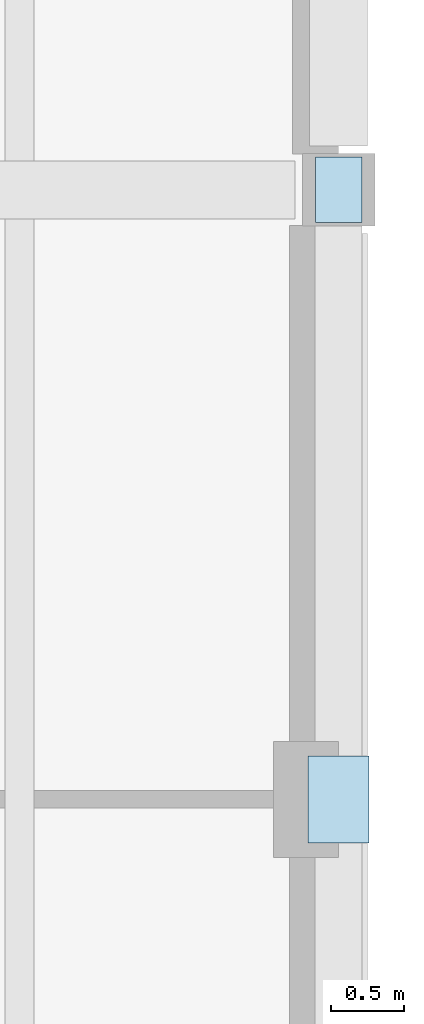
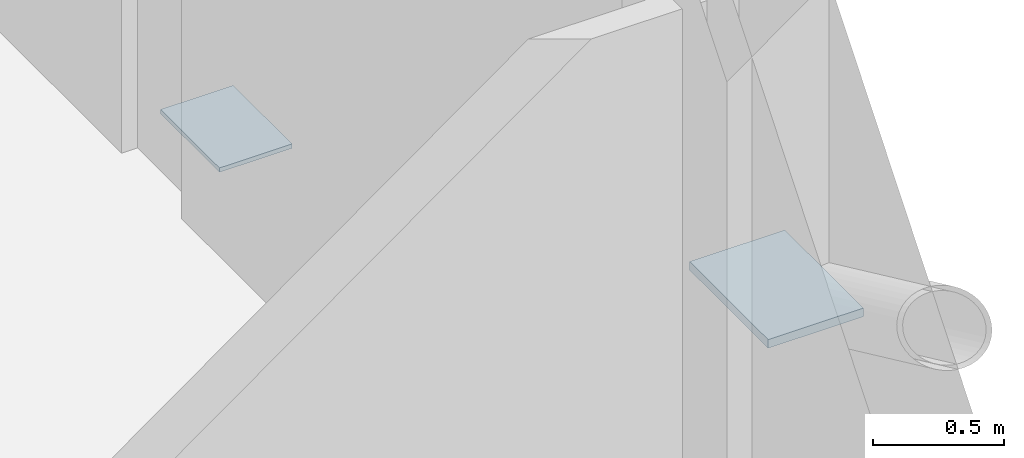
# One storey, part 49 of 83: 2 plates.
"""IFC4 building model written with IfcOpenShell, lengths in metres."""

from ifc_helpers import new_model, si_unit, direction, frame, origin, origin_2d, place, context, subcontext, project, spatial, rectangle, extrude, material, layer, layer_set, type_object, element, save


model = new_model("IFC4")

# Units and contexts
model_context = context("Model", 3, precision=1e-05, world=origin(), true_north=direction((0.0, 1.0)))
body_context = subcontext(model_context, "Body", "Model", "MODEL_VIEW")
ifc_project = project(units=[si_unit("LENGTHUNIT", "METRE"), si_unit("AREAUNIT", "SQUARE_METRE"), si_unit("VOLUMEUNIT", "CUBIC_METRE"), si_unit("PLANEANGLEUNIT", "RADIAN"), si_unit("MASSUNIT", "GRAM", prefix="KILO")], contexts=[model_context])

# Site, building, storey
site_placement = place(None, origin())
site = spatial("IfcSite", under=ifc_project, at=site_placement, CompositionType="ELEMENT")
building_placement = place(site_placement, origin())
building = spatial("IfcBuilding", under=site, at=building_placement, Name="Qaldarim Faculty of Natural and Applied Sciences", CompositionType="ELEMENT")
storey_placement = place(building_placement, frame((0.0, 0.0, 5.39990234375)))
storey = spatial("IfcBuildingStorey", under=building, at=storey_placement, Name="L01", CompositionType="ELEMENT", Elevation=5.39990234375)

# Plates
ifc_material = material(Name="Structural steel S355", Category="steel")
ifc_layer_1 = layer(ifc_material, 0.02001953125)
ifc_layer_set_1 = layer_set([ifc_layer_1], Name="Structural steel S355")
plate_type_1 = type_object("IfcPlateType", Name="GussetPlate-S355-450x320x20", PredefinedType="SHEET", material=ifc_layer_set_1)
plate_1_placement = place(storey_placement, frame((178.199951171875, 109.199951171875, 0.14013671875), z_axis=(0.0, 0.0, 1.0), x_axis=(0.0, 1.0, 0.0)))
element("IfcPlate", 1, at=plate_1_placement, inside=storey, type_object=plate_type_1, Name="Commons east diagrid L01 base gusset BR", PredefinedType="SHEET", context=body_context, shape_type="SweptSolid", body=[
    extrude(rectangle(XDim=0.449951171875, YDim=0.320068359375, at=origin_2d()), origin(), (0.0, 0.0, 1.0), 0.02001953125),
])
ifc_layer_2 = layer(ifc_material, 0.0400390625)
ifc_layer_set_2 = layer_set([ifc_layer_2], Name="Structural steel S355")
plate_type_2 = type_object("IfcPlateType", Name="NodePlate-S355-600x420x40", PredefinedType="SHEET", material=ifc_layer_set_2)
plate_2_placement = place(storey_placement, frame((178.199951171875, 105.0, 1.93017578125), z_axis=(0.0, 0.0, 1.0), x_axis=(0.0, 1.0, 0.0)))
element("IfcPlate", 2, at=plate_2_placement, inside=storey, type_object=plate_type_2, Name="Commons east diagrid L01 X-crossing gusset plate", PredefinedType="SHEET", context=body_context, shape_type="SweptSolid", body=[
    extrude(rectangle(XDim=0.60009765625, YDim=0.419921875, at=origin_2d()), origin(), (0.0, 0.0, 1.0), 0.0400390625),
])

save(model, "model.ifc")
